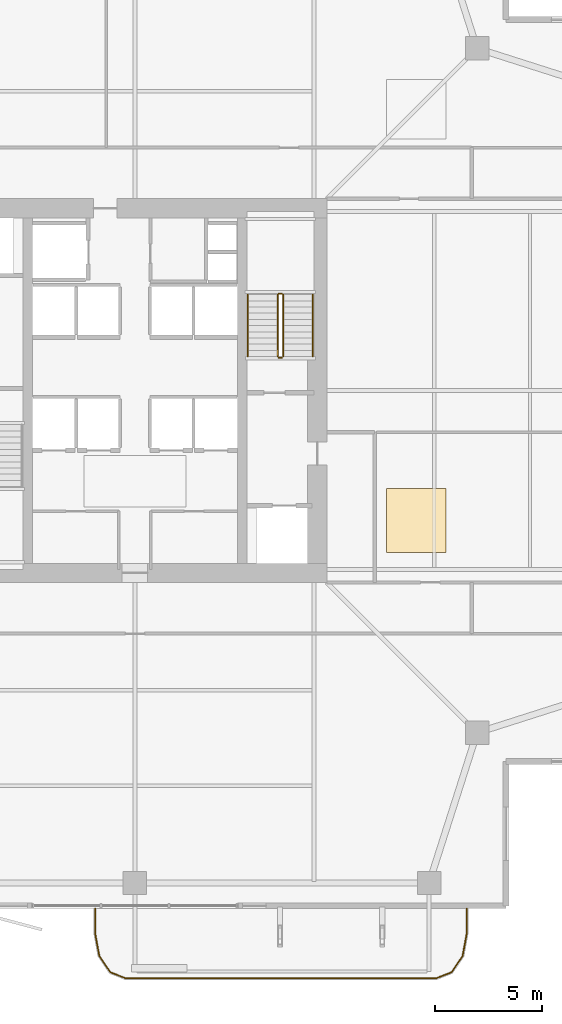
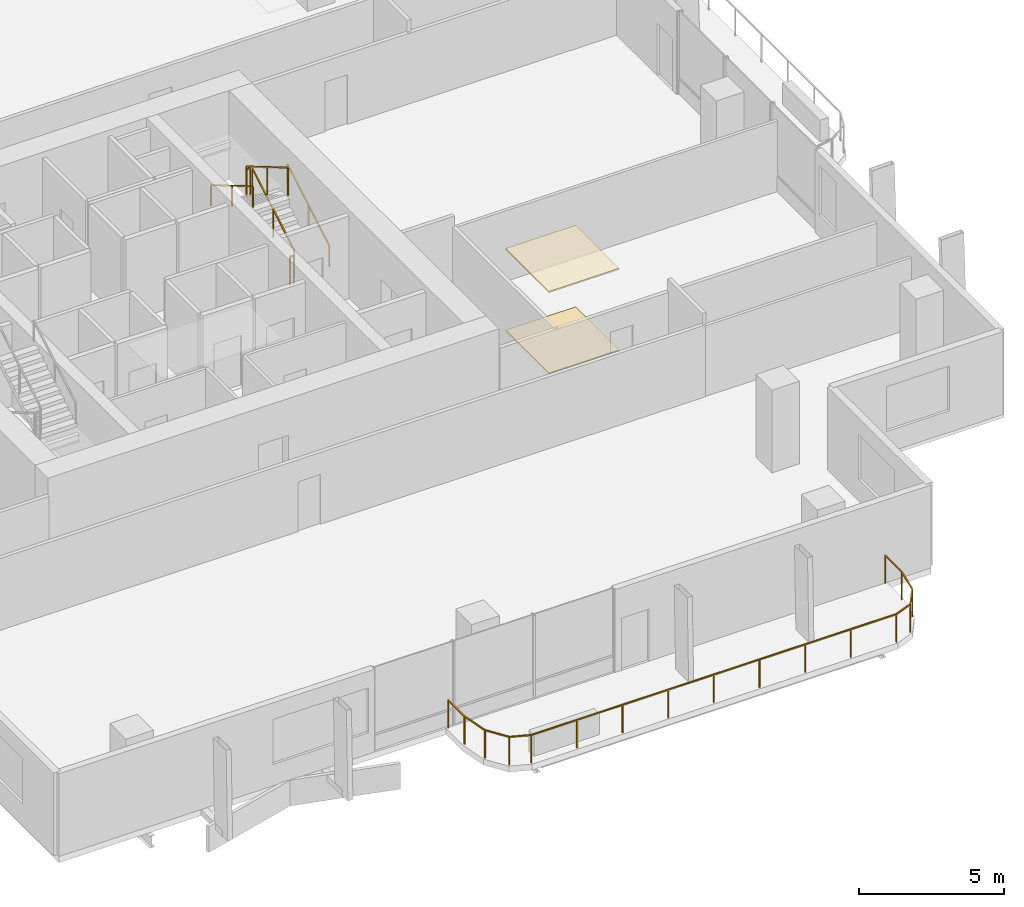
# One storey, part 22 of 23: 7 railings, 2 coverings.
"""IFC4 building model written with IfcOpenShell, lengths in metres."""

from ifc_helpers import new_model, si_unit, direction, frame, origin, origin_2d, place, context, subcontext, project, spatial, polyline, rectangle, outline, extrude, material, layer, layer_set, type_object, element, save


model = new_model("IFC4")

# Units and contexts
model_context = context("Model", 3, precision=1e-05, world=origin(), true_north=direction((0.0, 1.0)))
body_context = subcontext(model_context, "Body", "Model", "MODEL_VIEW")
ifc_project = project(units=[si_unit("LENGTHUNIT", "METRE"), si_unit("AREAUNIT", "SQUARE_METRE"), si_unit("VOLUMEUNIT", "CUBIC_METRE"), si_unit("PLANEANGLEUNIT", "RADIAN"), si_unit("MASSUNIT", "GRAM", prefix="KILO")], contexts=[model_context])

# Site, building, storey
site_placement = place(None, origin())
site = spatial("IfcSite", under=ifc_project, at=site_placement, CompositionType="ELEMENT")
building_placement = place(site_placement, origin())
building = spatial("IfcBuilding", under=site, at=building_placement, Name="Belovzor Exchange Tower", CompositionType="ELEMENT")
storey_placement = place(building_placement, frame((0.0, 0.0, 157.050048828125)))
storey = spatial("IfcBuildingStorey", under=building, at=storey_placement, Name="L38", CompositionType="ELEMENT", Elevation=157.050048828125)

# Railings
ifc_material_1 = material(Name="Stainless Steel Grade 304", Category="steel")
railing_type_1 = type_object("IfcRailingType", Name="Brushed Stainless Steel Stair Handrail 900", PredefinedType="HANDRAIL", material=ifc_material_1)
railing_1_placement = place(storey_placement, frame((37.14990234375, 30.39990234375, 0.17041015625)))
element("IfcRailing", 1, at=railing_1_placement, inside=storey, type_object=railing_type_1, Name="L38 ST-2 stair handrail 1", PredefinedType="HANDRAIL", context=body_context, shape_type="SweptSolid", body=[
    extrude(rectangle(XDim=0.048095703125, YDim=0.048095703125, at=origin_2d()), frame((0.0, 0.0, 0.8759765625), z_axis=(0.0, 0.862113265706, 0.506715617574), x_axis=(-1.0, 0.0, 0.0)), (0.0, 0.0, 1.0), 3.364013671875),
    extrude(rectangle(XDim=0.0419921875, YDim=0.0419921875, at=origin_2d()), origin(), (0.0, 0.0, 1.0), 0.851806640625),
    extrude(rectangle(XDim=0.0419921875, YDim=0.0419921875, at=origin_2d()), frame((0.0, 1.4501953125, 0.852294921875)), (0.0, 0.0, 1.0), 0.851806640625),
    extrude(rectangle(XDim=0.0419921875, YDim=0.0419921875, at=origin_2d()), frame((0.0, 2.900146484375, 1.70458984375)), (0.0, 0.0, 1.0), 0.851806640625),
])
railing_2_placement = place(storey_placement, frame((34.10009765625, 33.300048828125, 2.04541015625)))
element("IfcRailing", 2, at=railing_2_placement, inside=storey, type_object=railing_type_1, Name="L38 ST-2 stair handrail 2", PredefinedType="HANDRAIL", context=body_context, shape_type="SweptSolid", body=[
    extrude(rectangle(XDim=0.048095703125, YDim=0.048095703125, at=origin_2d()), frame((0.0, 0.0, 0.8759765625), z_axis=(0.0, -0.862113265706, 0.506715617574), x_axis=(1.0, 0.0, 0.0)), (0.0, 0.0, 1.0), 3.364013671875),
    extrude(rectangle(XDim=0.0419921875, YDim=0.0419921875, at=origin_2d()), origin(), (0.0, 0.0, 1.0), 0.851806640625),
    extrude(rectangle(XDim=0.0419921875, YDim=0.0419921875, at=origin_2d()), frame((0.0, -1.4501953125, 0.852294921875)), (0.0, 0.0, 1.0), 0.851806640625),
    extrude(rectangle(XDim=0.0419921875, YDim=0.0419921875, at=origin_2d()), frame((0.0, -2.900146484375, 1.70458984375)), (0.0, 0.0, 1.0), 0.851806640625),
])
ifc_material_2 = material(Name="Stainless Steel and Laminated Safety Glass", Category="steel")
railing_type_2 = type_object("IfcRailingType", Name="Laminated Glass & Stainless Steel Balcony Balustrade 1200", PredefinedType="BALUSTRADE", material=ifc_material_2)
railing_3_placement = place(storey_placement, frame((26.929931640625, 4.489990234375, 0.0)))
element("IfcRailing", 3, at=railing_3_placement, inside=storey, type_object=railing_type_2, Name="GR-1 Balcony Balustrade L38 South", PredefinedType="BALUSTRADE", context=body_context, shape_type="SweptSolid", body=[
    extrude(rectangle(XDim=0.048095703125, YDim=0.048095703125, at=origin_2d()), frame((0.0, 0.0, 1.17578125), z_axis=(0.0, -1.0, 0.0), x_axis=(1.0, 0.0, 0.0)), (0.0, 0.0, 1.0), 1.133056640625),
    extrude(rectangle(XDim=0.048095703125, YDim=0.048095703125, at=origin_2d()), frame((0.0, -1.133056640625, 1.17578125), z_axis=(0.180122719713, -0.983644145941, 0.0), x_axis=(0.983644145941, 0.180122719713, 0.0)), (0.0, 0.0, 1.0), 1.09375),
    extrude(rectangle(XDim=0.048095703125, YDim=0.048095703125, at=origin_2d()), frame((0.197021484375, -2.208984375, 1.17578125), z_axis=(0.56294695933, -0.826493025367, 0.0), x_axis=(0.826493025367, 0.56294695933, 0.0)), (0.0, 0.0, 1.0), 0.932861328125),
    extrude(rectangle(XDim=0.048095703125, YDim=0.048095703125, at=origin_2d()), frame((0.72216796875, -2.97998046875, 1.17578125), z_axis=(0.930766990125, -0.365612923861, 0.0), x_axis=(0.365612923861, 0.930766990125, 0.0)), (0.0, 0.0, 1.0), 0.765869140625),
    extrude(rectangle(XDim=0.048095703125, YDim=0.048095703125, at=origin_2d()), frame((1.43505859375, -3.260009765625, 1.17578125), z_axis=(1.0, 0.0, 0.0), x_axis=(0.0, 1.0, 0.0)), (0.0, 0.0, 1.0), 14.570068359375),
    extrude(rectangle(XDim=0.048095703125, YDim=0.048095703125, at=origin_2d()), frame((16.005126953125, -3.260009765625, 1.17578125), z_axis=(0.930766990125, 0.365612923861, 0.0), x_axis=(-0.365612923861, 0.930766990125, 0.0)), (0.0, 0.0, 1.0), 0.765869140625),
    extrude(rectangle(XDim=0.048095703125, YDim=0.048095703125, at=origin_2d()), frame((16.718017578125, -2.97998046875, 1.17578125), z_axis=(0.56294695933, 0.826493025367, 0.0), x_axis=(-0.826493025367, 0.56294695933, 0.0)), (0.0, 0.0, 1.0), 0.932861328125),
    extrude(rectangle(XDim=0.048095703125, YDim=0.048095703125, at=origin_2d()), frame((17.2431640625, -2.208984375, 1.17578125), z_axis=(0.180122719713, 0.983644145941, 0.0), x_axis=(-0.983644145941, 0.180122719713, 0.0)), (0.0, 0.0, 1.0), 1.09375),
    extrude(rectangle(XDim=0.048095703125, YDim=0.048095703125, at=origin_2d()), frame((17.440185546875, -1.133056640625, 1.17578125), z_axis=(0.0, 1.0, 0.0), x_axis=(-1.0, 0.0, 0.0)), (0.0, 0.0, 1.0), 1.133056640625),
    extrude(rectangle(XDim=0.0419921875, YDim=0.0419921875, at=origin_2d()), origin(), (0.0, 0.0, 1.0), 1.15185546875),
    extrude(rectangle(XDim=0.0419921875, YDim=0.0419921875, at=origin_2d()), frame((0.0, -1.133056640625, 0.0)), (0.0, 0.0, 1.0), 1.15185546875),
    extrude(rectangle(XDim=0.0419921875, YDim=0.0419921875, at=origin_2d()), frame((0.197021484375, -2.208984375, 0.0)), (0.0, 0.0, 1.0), 1.15185546875),
    extrude(rectangle(XDim=0.0419921875, YDim=0.0419921875, at=origin_2d()), frame((0.72216796875, -2.97998046875, 0.0)), (0.0, 0.0, 1.0), 1.15185546875),
    extrude(rectangle(XDim=0.0419921875, YDim=0.0419921875, at=origin_2d()), frame((1.43505859375, -3.260009765625, 0.0)), (0.0, 0.0, 1.0), 1.15185546875),
    extrude(rectangle(XDim=0.0419921875, YDim=0.0419921875, at=origin_2d()), frame((3.25634765625, -3.260009765625, 0.0)), (0.0, 0.0, 1.0), 1.15185546875),
    extrude(rectangle(XDim=0.0419921875, YDim=0.0419921875, at=origin_2d()), frame((5.07763671875, -3.260009765625, 0.0)), (0.0, 0.0, 1.0), 1.15185546875),
    extrude(rectangle(XDim=0.0419921875, YDim=0.0419921875, at=origin_2d()), frame((6.89892578125, -3.260009765625, 0.0)), (0.0, 0.0, 1.0), 1.15185546875),
    extrude(rectangle(XDim=0.0419921875, YDim=0.0419921875, at=origin_2d()), frame((8.72021484375, -3.260009765625, 0.0)), (0.0, 0.0, 1.0), 1.15185546875),
    extrude(rectangle(XDim=0.0419921875, YDim=0.0419921875, at=origin_2d()), frame((10.541259765625, -3.260009765625, 0.0)), (0.0, 0.0, 1.0), 1.15185546875),
    extrude(rectangle(XDim=0.0419921875, YDim=0.0419921875, at=origin_2d()), frame((12.362548828125, -3.260009765625, 0.0)), (0.0, 0.0, 1.0), 1.15185546875),
    extrude(rectangle(XDim=0.0419921875, YDim=0.0419921875, at=origin_2d()), frame((14.183837890625, -3.260009765625, 0.0)), (0.0, 0.0, 1.0), 1.15185546875),
    extrude(rectangle(XDim=0.0419921875, YDim=0.0419921875, at=origin_2d()), frame((16.005126953125, -3.260009765625, 0.0)), (0.0, 0.0, 1.0), 1.15185546875),
    extrude(rectangle(XDim=0.0419921875, YDim=0.0419921875, at=origin_2d()), frame((16.718017578125, -2.97998046875, 0.0)), (0.0, 0.0, 1.0), 1.15185546875),
    extrude(rectangle(XDim=0.0419921875, YDim=0.0419921875, at=origin_2d()), frame((17.2431640625, -2.208984375, 0.0)), (0.0, 0.0, 1.0), 1.15185546875),
    extrude(rectangle(XDim=0.0419921875, YDim=0.0419921875, at=origin_2d()), frame((17.440185546875, -1.133056640625, 0.0)), (0.0, 0.0, 1.0), 1.15185546875),
    extrude(rectangle(XDim=0.0419921875, YDim=0.0419921875, at=origin_2d()), frame((17.440185546875, 0.0, 0.0)), (0.0, 0.0, 1.0), 1.15185546875),
])
ifc_material_3 = material(Name="Steel S355", Category="steel")
railing_type_3 = type_object("IfcRailingType", Name="Painted Steel Stairwell Guardrail 1200", PredefinedType="GUARDRAIL", material=ifc_material_3)
railing_4_placement = place(storey_placement, frame((35.75, 30.39990234375, 0.17041015625)))
element("IfcRailing", 4, at=railing_4_placement, inside=storey, type_object=railing_type_3, Name="L38 ST-2 stair guard 1", PredefinedType="GUARDRAIL", context=body_context, shape_type="SweptSolid", body=[
    extrude(rectangle(XDim=0.048095703125, YDim=0.048095703125, at=origin_2d()), frame((0.0, 0.0, 1.17578125), z_axis=(0.0, 0.862113265706, 0.506715617574), x_axis=(-1.0, 0.0, 0.0)), (0.0, 0.0, 1.0), 3.364013671875),
    extrude(rectangle(XDim=0.0419921875, YDim=0.0419921875, at=origin_2d()), origin(), (0.0, 0.0, 1.0), 1.15185546875),
    extrude(rectangle(XDim=0.0419921875, YDim=0.0419921875, at=origin_2d()), frame((0.0, 1.4501953125, 0.852294921875)), (0.0, 0.0, 1.0), 1.15185546875),
    extrude(rectangle(XDim=0.0419921875, YDim=0.0419921875, at=origin_2d()), frame((0.0, 2.900146484375, 1.70458984375)), (0.0, 0.0, 1.0), 1.15185546875),
])
railing_5_placement = place(storey_placement, frame((35.699951171875, 33.35009765625, 1.875)))
element("IfcRailing", 5, at=railing_5_placement, inside=storey, type_object=railing_type_3, Name="L38 ST-2 stair guard 2", PredefinedType="GUARDRAIL", context=body_context, shape_type="SweptSolid", body=[
    extrude(rectangle(XDim=0.048095703125, YDim=0.048095703125, at=origin_2d()), frame((0.0, 0.0, 1.17578125), z_axis=(-1.0, 0.0, 0.0), x_axis=(0.0, -1.0, 0.0)), (0.0, 0.0, 1.0), 0.14990234375),
    extrude(rectangle(XDim=0.0419921875, YDim=0.0419921875, at=origin_2d()), origin(), (0.0, 0.0, 1.0), 1.15185546875),
    extrude(rectangle(XDim=0.0419921875, YDim=0.0419921875, at=origin_2d()), frame((-0.14990234375, 0.0, 0.0)), (0.0, 0.0, 1.0), 1.15185546875),
])
railing_6_placement = place(storey_placement, frame((35.5, 33.300048828125, 2.04541015625)))
element("IfcRailing", 6, at=railing_6_placement, inside=storey, type_object=railing_type_3, Name="L38 ST-2 stair guard 3", PredefinedType="GUARDRAIL", context=body_context, shape_type="SweptSolid", body=[
    extrude(rectangle(XDim=0.048095703125, YDim=0.048095703125, at=origin_2d()), frame((0.0, 0.0, 1.17578125), z_axis=(0.0, -0.862113265706, 0.506715617574), x_axis=(1.0, 0.0, 0.0)), (0.0, 0.0, 1.0), 3.364013671875),
    extrude(rectangle(XDim=0.0419921875, YDim=0.0419921875, at=origin_2d()), origin(), (0.0, 0.0, 1.0), 1.15185546875),
    extrude(rectangle(XDim=0.0419921875, YDim=0.0419921875, at=origin_2d()), frame((0.0, -1.4501953125, 0.852294921875)), (0.0, 0.0, 1.0), 1.15185546875),
    extrude(rectangle(XDim=0.0419921875, YDim=0.0419921875, at=origin_2d()), frame((0.0, -2.900146484375, 1.70458984375)), (0.0, 0.0, 1.0), 1.15185546875),
])
railing_7_placement = place(storey_placement, frame((35.699951171875, 30.35009765625, 0.0)))
element("IfcRailing", 7, at=railing_7_placement, inside=storey, type_object=railing_type_3, Name="L38 ST-2 stair guard 4", PredefinedType="GUARDRAIL", context=body_context, shape_type="SweptSolid", body=[
    extrude(rectangle(XDim=0.048095703125, YDim=0.048095703125, at=origin_2d()), frame((0.0, 0.0, 1.17578125), z_axis=(-1.0, 0.0, 0.0), x_axis=(0.0, -1.0, 0.0)), (0.0, 0.0, 1.0), 0.14990234375),
    extrude(rectangle(XDim=0.0419921875, YDim=0.0419921875, at=origin_2d()), origin(), (0.0, 0.0, 1.0), 1.15185546875),
    extrude(rectangle(XDim=0.0419921875, YDim=0.0419921875, at=origin_2d()), frame((-0.14990234375, 0.0, 0.0)), (0.0, 0.0, 1.0), 1.15185546875),
])

# Coverings
ifc_material_4 = material(Name="Perforated Powder-Coated Aluminium", Category="aluminium")
ifc_layer_1 = layer(ifc_material_4, 0.06005859375)
ifc_layer_set_1 = layer_set([ifc_layer_1], Name="Perforated Powder-Coated Aluminium")
covering_type_1 = type_object("IfcCoveringType", Name="Perforated Acoustic Metal Tile Suspended Ceiling 60", PredefinedType="CEILING", material=ifc_layer_set_1)
covering_1_placement = place(storey_placement, frame((0.0, 0.0, 3.43505859375)))
element("IfcCovering", 8, at=covering_1_placement, inside=storey, type_object=covering_type_1, Name="CLG-AC60 Suspended Ceiling CLG-L38-Z0", PredefinedType="CEILING", context=body_context, shape_type="SweptSolid", body=[
    extrude(outline(polyline([(40.60009765625, 21.199951171875), (43.39990234375, 21.199951171875), (43.39990234375, 24.199951171875), (40.60009765625, 24.199951171875), (40.60009765625, 21.199951171875)])), origin(), (0.0, 0.0, 1.0), 0.059814453125),
])
ifc_material_5 = material(Name="Polished Natural Granite Tile", Category="masonry")
ifc_layer_2 = layer(ifc_material_5, 0.050048828125)
ifc_layer_set_2 = layer_set([ifc_layer_2], Name="Polished Natural Granite Tile")
covering_type_2 = type_object("IfcCoveringType", Name="Polished Karelian Granite & Raised Access Floor Finish 50", PredefinedType="FLOORING", material=ifc_layer_set_2)
covering_2_placement = place(storey_placement, origin())
element("IfcCovering", 9, at=covering_2_placement, inside=storey, type_object=covering_type_2, Name="FLR-GR50 Floor Finish FLR-L38-Z0", PredefinedType="FLOORING", context=body_context, shape_type="SweptSolid", body=[
    extrude(outline(polyline([(40.60009765625, 21.199951171875), (43.39990234375, 21.199951171875), (43.39990234375, 24.199951171875), (40.60009765625, 24.199951171875), (40.60009765625, 21.199951171875)])), origin(), (0.0, 0.0, 1.0), 0.050048828125),
])

save(model, "model.ifc")
